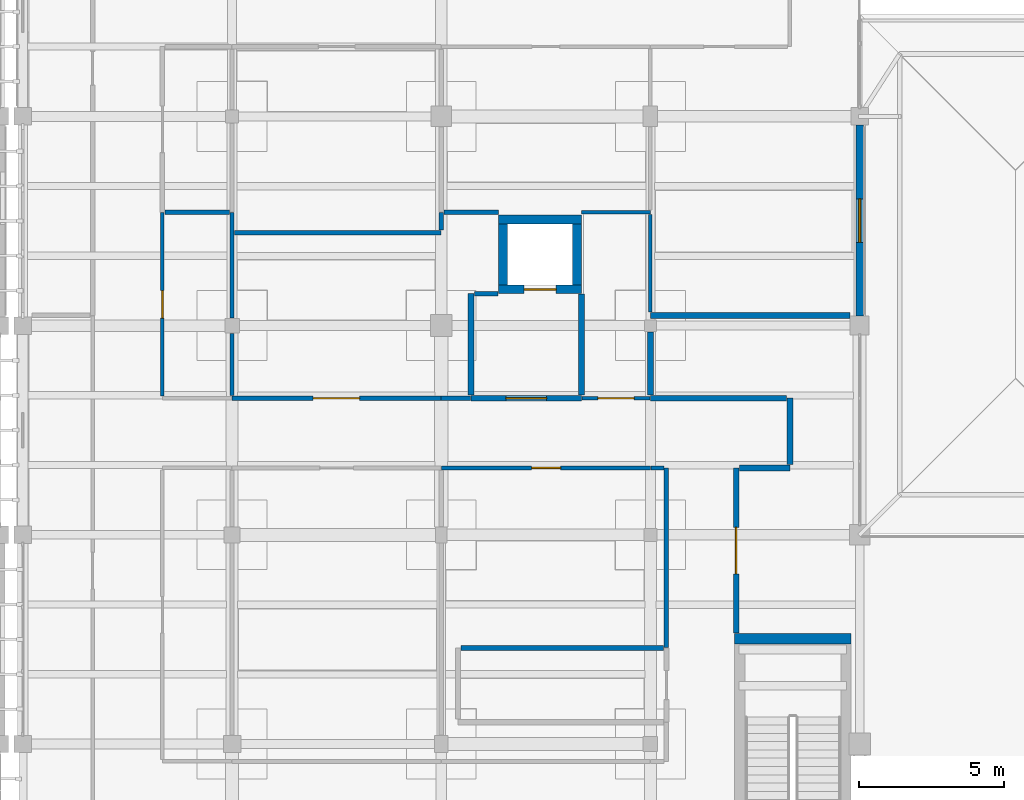
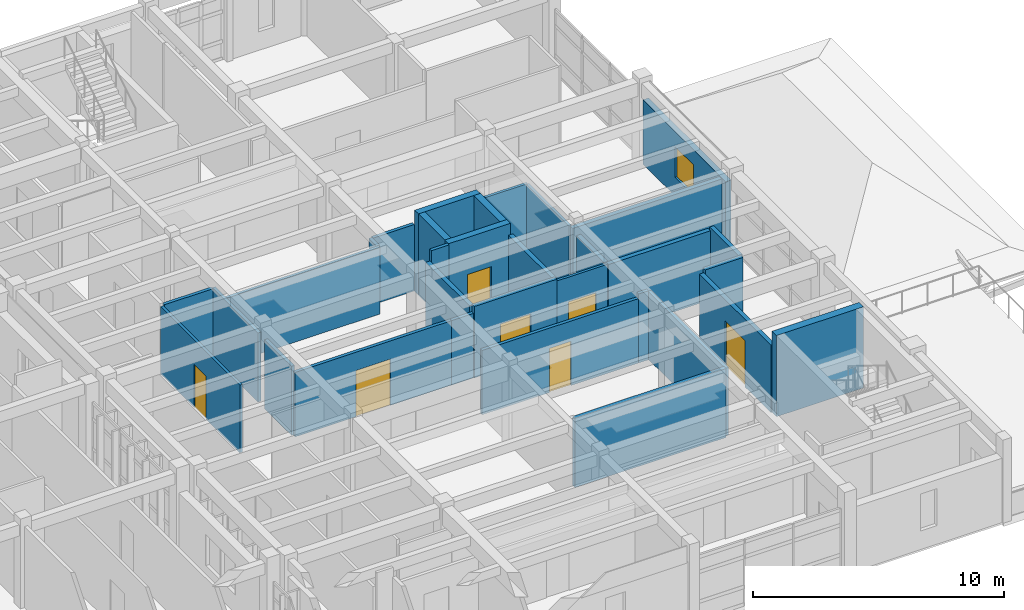
# One storey, part 37 of 55: 32 walls, 7 doors, 1 window, 8 openings.
"""IFC4 building model written with IfcOpenShell, lengths in metres."""

from ifc_helpers import new_model, si_unit, direction, frame, frame_2d, origin, place, context, subcontext, project, spatial, rectangle, extrude, material, layer, layer_set, type_object, element, fill, save


model = new_model("IFC4")

# Units and contexts
model_context = context("Model", 3, precision=1e-05, world=origin(), true_north=direction((0.0, 1.0)))
body_context = subcontext(model_context, "Body", "Model", "MODEL_VIEW")
ifc_project = project(units=[si_unit("LENGTHUNIT", "METRE"), si_unit("AREAUNIT", "SQUARE_METRE"), si_unit("VOLUMEUNIT", "CUBIC_METRE"), si_unit("PLANEANGLEUNIT", "RADIAN"), si_unit("MASSUNIT", "GRAM", prefix="KILO")], contexts=[model_context])

# Site, building, storey
site_placement = place(None, origin())
site = spatial("IfcSite", under=ifc_project, at=site_placement, CompositionType="ELEMENT")
building_placement = place(site_placement, origin())
building = spatial("IfcBuilding", under=site, at=building_placement, Name="Steenspoor Specialist Clinic", CompositionType="ELEMENT")
storey_placement = place(building_placement, frame((0.0, 0.0, 13.199951171875)))
storey = spatial("IfcBuildingStorey", under=building, at=storey_placement, Name="L03", CompositionType="ELEMENT", Elevation=13.199951171875)

# Wall
ifc_material_1 = material(Name="Gypsum acoustic clinical partition", Category="gypsum")
ifc_layer_1 = layer(ifc_material_1, 0.14990234375)
ifc_layer_set_1 = layer_set([ifc_layer_1], Name="Gypsum acoustic clinical partition")
wall_type_1 = type_object("IfcWallType", Name="W-CLIN-150", PredefinedType="PARTITIONING", material=ifc_layer_set_1)
wall_1_placement = place(storey_placement, frame((140.14990234375, 75.6650390625, 0.0), z_axis=(0.0, 0.0, 1.0), x_axis=(0.0, 1.0, 0.0)))
element("IfcWall", 1, at=wall_1_placement, inside=storey, type_object=wall_type_1, Name="Interior Partition IW-V6-L03-1616", PredefinedType="PARTITIONING", context=body_context, shape_type="SweptSolid", body=[
    extrude(rectangle(XDim=6.18505859375, YDim=0.14990234375, at=frame_2d((3.092529296875, 0.0))), origin(), (0.0, 0.0, 1.0), 3.28515625),
])

# Wall, opening, door
wall_2_placement = place(storey_placement, frame((132.4150390625, 81.85009765625, 0.0), z_axis=(0.0, 0.0, 1.0), x_axis=(1.0, 0.0, 0.0)))
wall_2 = element("IfcWall", 2, at=wall_2_placement, inside=storey, type_object=wall_type_1, Name="Interior Partition IW-V6-L03-1620", PredefinedType="PARTITIONING", context=body_context, shape_type="SweptSolid", body=[
    extrude(rectangle(XDim=7.18505859375, YDim=0.14990234375, at=frame_2d((3.592529296875, 0.0))), origin(), (0.0, 0.0, 1.0), 3.135009765625),
])
opening_1_placement = place(wall_2_placement, frame((3.092529296875, 0.0, 0.0)))
opening_1 = element("IfcOpeningElement", 3, at=opening_1_placement, cuts=wall_2, Name="Opening D0491", PredefinedType="OPENING", context=body_context, shape_type="SweptSolid", body=[
    extrude(rectangle(XDim=1.0, YDim=2.14990234375, at=frame_2d((0.5, 1.074951171875))), frame((0.0, 0.0849609375, 0.0), z_axis=(0.0, -1.0, 0.0), x_axis=(1.0, 0.0, 0.0)), (0.0, 0.0, 1.0), 0.169921875),
])
ifc_material_2 = material(Name="Moisture-resistant HPL accessible WC door", Category="wood")
door_type_1 = type_object("IfcDoorType", Name="DT-AWC-100X215", OperationType="NOTDEFINED", PredefinedType="DOOR", material=ifc_material_2)
door_1_placement = place(opening_1_placement, origin())
door_1 = element("IfcDoor", 4, at=door_1_placement, inside=storey, type_object=door_type_1, Name="Clinical Door D0491", OperationType="SINGLE_SWING_RIGHT", OverallHeight=2.14990234375, OverallWidth=1.0, PredefinedType="DOOR", context=body_context, shape_type="SweptSolid", body=[
    extrude(rectangle(XDim=1.0, YDim=2.14990234375, at=frame_2d((0.5, 1.074951171875))), frame((0.0, 0.02490234375, 0.0), z_axis=(0.0, -1.0, 0.0), x_axis=(1.0, 0.0, 0.0)), (0.0, 0.0, 1.0), 0.050048828125),
])
fill(opening_1, door_1)

# Walls
wall_3_placement = place(storey_placement, frame((139.614990234375, 81.85009765625, 0.0), z_axis=(0.0, 0.0, 1.0), x_axis=(1.0, 0.0, 0.0)))
element("IfcWall", 5, at=wall_3_placement, inside=storey, type_object=wall_type_1, Name="Interior Partition IW-V6-L03-1621", PredefinedType="PARTITIONING", context=body_context, shape_type="SweptSolid", body=[
    extrude(rectangle(XDim=0.445068359375, YDim=0.14990234375, at=frame_2d((0.22265625, 0.0))), origin(), (0.0, 0.0, 1.0), 3.35498046875),
])
wall_4_placement = place(storey_placement, frame((132.39990234375, 84.25, 0.0), z_axis=(0.0, 0.0, 1.0), x_axis=(1.0, 0.0, 0.0)))
element("IfcWall", 6, at=wall_4_placement, inside=storey, type_object=wall_type_1, Name="Interior Partition IW-V6-L03-1622", PredefinedType="PARTITIONING", context=body_context, shape_type="SweptSolid", body=[
    extrude(rectangle(XDim=1.010009765625, YDim=0.14990234375, at=frame_2d((0.5048828125, 0.0))), origin(), (0.0, 0.0, 1.0), 3.135009765625),
])

# Wall, opening, door
wall_5_placement = place(storey_placement, frame((125.199951171875, 84.25, 0.0), z_axis=(0.0, 0.0, 1.0), x_axis=(1.0, 0.0, 0.0)))
wall_5 = element("IfcWall", 7, at=wall_5_placement, inside=storey, type_object=wall_type_1, Name="Interior Partition IW-V6-L03-1623", PredefinedType="PARTITIONING", context=body_context, shape_type="SweptSolid", body=[
    extrude(rectangle(XDim=7.18505859375, YDim=0.14990234375, at=frame_2d((3.592529296875, 0.0))), origin(), (0.0, 0.0, 1.0), 3.135009765625),
])
opening_2_placement = place(wall_5_placement, frame((2.79248046875, 0.0, 0.0)))
opening_2 = element("IfcOpeningElement", 8, at=opening_2_placement, cuts=wall_5, Name="Opening D0493", PredefinedType="OPENING", context=body_context, shape_type="SweptSolid", body=[
    extrude(rectangle(XDim=1.60009765625, YDim=2.25, at=frame_2d((0.800048828125, 1.125))), frame((0.0, 0.0849609375, 0.0), z_axis=(0.0, -1.0, 0.0), x_axis=(1.0, 0.0, 0.0)), (0.0, 0.0, 1.0), 0.169921875),
])
ifc_material_3 = material(Name="Hygienic HPL clinical timber door", Category="wood")
door_type_2 = type_object("IfcDoorType", Name="DT-PROC-160X225", OperationType="NOTDEFINED", PredefinedType="DOOR", material=ifc_material_3)
door_2_placement = place(opening_2_placement, origin())
door_2 = element("IfcDoor", 9, at=door_2_placement, inside=storey, type_object=door_type_2, Name="Clinical Door D0493", OperationType="SINGLE_SWING_RIGHT", OverallHeight=2.25, OverallWidth=1.60009765625, PredefinedType="DOOR", context=body_context, shape_type="SweptSolid", body=[
    extrude(rectangle(XDim=1.60009765625, YDim=2.25, at=frame_2d((0.800048828125, 1.125))), frame((0.0, 0.02490234375, 0.0), z_axis=(0.0, -1.0, 0.0), x_axis=(1.0, 0.0, 0.0)), (0.0, 0.0, 1.0), 0.050048828125),
])
fill(opening_2, door_2)

# Walls
wall_6_placement = place(storey_placement, frame((125.199951171875, 84.340087890625, 0.0), z_axis=(0.0, 0.0, 1.0), x_axis=(0.0, 1.0, 0.0)))
element("IfcWall", 10, at=wall_6_placement, inside=storey, type_object=wall_type_1, Name="Interior Partition IW-V6-L03-1763", PredefinedType="PARTITIONING", context=body_context, shape_type="SweptSolid", body=[
    extrude(rectangle(XDim=2.14501953125, YDim=0.14990234375, at=frame_2d((1.072509765625, 0.0))), origin(), (0.0, 0.0, 1.0), 3.35498046875),
])
wall_7_placement = place(storey_placement, frame((125.199951171875, 87.014892578125, 0.0), z_axis=(0.0, 0.0, 1.0), x_axis=(0.0, 1.0, 0.0)))
element("IfcWall", 11, at=wall_7_placement, inside=storey, type_object=wall_type_1, Name="Interior Partition IW-V6-L03-1764", PredefinedType="PARTITIONING", context=body_context, shape_type="SweptSolid", body=[
    extrude(rectangle(XDim=3.635009765625, YDim=0.14990234375, at=frame_2d((1.8173828125, 0.0))), origin(), (0.0, 0.0, 1.0), 3.35498046875),
])
wall_8_placement = place(storey_placement, frame((122.889892578125, 90.64990234375, 0.0), z_axis=(0.0, 0.0, 1.0), x_axis=(1.0, 0.0, 0.0)))
element("IfcWall", 12, at=wall_8_placement, inside=storey, type_object=wall_type_1, Name="Interior Partition IW-V6-L03-1765", PredefinedType="PARTITIONING", context=body_context, shape_type="SweptSolid", body=[
    extrude(rectangle(XDim=2.22021484375, YDim=0.14990234375, at=frame_2d((1.110107421875, 0.0))), origin(), (0.0, 0.0, 1.0), 3.35498046875),
])
wall_9_placement = place(storey_placement, frame((125.2900390625, 89.949951171875, 0.0), z_axis=(0.0, 0.0, 1.0), x_axis=(1.0, 0.0, 0.0)))
element("IfcWall", 13, at=wall_9_placement, inside=storey, type_object=wall_type_1, Name="Interior Partition IW-V6-L03-1766", PredefinedType="PARTITIONING", context=body_context, shape_type="SweptSolid", body=[
    extrude(rectangle(XDim=7.10986328125, YDim=0.14990234375, at=frame_2d((3.554931640625, 0.0))), origin(), (0.0, 0.0, 1.0), 3.235107421875),
])
wall_10_placement = place(storey_placement, frame((132.39990234375, 90.0400390625, 0.0), z_axis=(0.0, 0.0, 1.0), x_axis=(0.0, 1.0, 0.0)))
element("IfcWall", 14, at=wall_10_placement, inside=storey, type_object=wall_type_1, Name="Interior Partition IW-V6-L03-1767", PredefinedType="PARTITIONING", context=body_context, shape_type="SweptSolid", body=[
    extrude(rectangle(XDim=0.60986328125, YDim=0.14990234375, at=frame_2d((0.304931640625, 0.0))), origin(), (0.0, 0.0, 1.0), 3.235107421875),
])
wall_11_placement = place(storey_placement, frame((132.489990234375, 90.64990234375, 0.0), z_axis=(0.0, 0.0, 1.0), x_axis=(1.0, 0.0, 0.0)))
element("IfcWall", 15, at=wall_11_placement, inside=storey, type_object=wall_type_1, Name="Interior Partition IW-V6-L03-1768", PredefinedType="PARTITIONING", context=body_context, shape_type="SweptSolid", body=[
    extrude(rectangle(XDim=1.885009765625, YDim=0.14990234375, at=frame_2d((0.9423828125, 0.0))), origin(), (0.0, 0.0, 1.0), 3.235107421875),
])
wall_12_placement = place(storey_placement, frame((133.5400390625, 87.85009765625, 0.0), z_axis=(0.0, 0.0, 1.0), x_axis=(1.0, 0.0, 0.0)))
element("IfcWall", 16, at=wall_12_placement, inside=storey, type_object=wall_type_1, Name="Interior Partition IW-V6-L03-1769", PredefinedType="PARTITIONING", context=body_context, shape_type="SweptSolid", body=[
    extrude(rectangle(XDim=0.820068359375, YDim=0.14990234375, at=frame_2d((0.41015625, 0.0))), origin(), (0.0, 0.0, 1.0), 3.949951171875),
])

# Wall, opening, door
ifc_material_4 = material(Name="Gypsum studio partition board", Category="gypsum")
ifc_layer_2 = layer(ifc_material_4, 0.1201171875)
ifc_layer_set_2 = layer_set([ifc_layer_2], Name="Gypsum studio partition board")
wall_type_2 = type_object("IfcWallType", Name="W-PART-120", PredefinedType="PARTITIONING", material=ifc_layer_set_2)
wall_13_placement = place(storey_placement, frame((122.800048828125, 84.324951171875, 0.0), z_axis=(0.0, 0.0, 1.0), x_axis=(0.0, 1.0, 0.0)))
wall_13 = element("IfcWall", 17, at=wall_13_placement, inside=storey, type_object=wall_type_2, Name="Interior Partition IW-V6-L03-1688", PredefinedType="PARTITIONING", context=body_context, shape_type="SweptSolid", body=[
    extrude(rectangle(XDim=6.31005859375, YDim=0.1201171875, at=frame_2d((3.155029296875, 0.0))), origin(), (0.0, 0.0, 1.0), 3.28515625),
])
opening_3_placement = place(wall_13_placement, frame((2.679931640625, 0.0, 0.0)))
opening_3 = element("IfcOpeningElement", 18, at=opening_3_placement, cuts=wall_13, Name="Opening D0492", PredefinedType="OPENING", context=body_context, shape_type="SweptSolid", body=[
    extrude(rectangle(XDim=0.949951171875, YDim=2.10009765625, at=frame_2d((0.47509765625, 1.050048828125))), frame((0.0, 0.070068359375, 0.0), z_axis=(0.0, -1.0, 0.0), x_axis=(1.0, 0.0, 0.0)), (0.0, 0.0, 1.0), 0.14013671875),
])
ifc_material_5 = material(Name="Moisture-resistant HPL sanitary door", Category="wood")
door_type_3 = type_object("IfcDoorType", Name="DT-WC-095X210", OperationType="NOTDEFINED", PredefinedType="DOOR", material=ifc_material_5)
door_3_placement = place(opening_3_placement, origin())
door_3 = element("IfcDoor", 19, at=door_3_placement, inside=storey, type_object=door_type_3, Name="Clinical Door D0492", OperationType="SINGLE_SWING_LEFT", OverallHeight=2.10009765625, OverallWidth=0.949951171875, PredefinedType="DOOR", context=body_context, shape_type="SweptSolid", body=[
    extrude(rectangle(XDim=0.949951171875, YDim=2.10009765625, at=frame_2d((0.47509765625, 1.050048828125))), frame((0.0, 0.02490234375, 0.0), z_axis=(0.0, -1.0, 0.0), x_axis=(1.0, 0.0, 0.0)), (0.0, 0.0, 1.0), 0.050048828125),
])
fill(opening_3, door_3)

wall_14_placement = place(storey_placement, frame((137.239990234375, 84.25, 0.0), z_axis=(0.0, 0.0, 1.0), x_axis=(1.0, 0.0, 0.0)))
wall_14 = element("IfcWall", 20, at=wall_14_placement, inside=storey, type_object=wall_type_2, Name="Interior Partition IW-V6-L03-1689", PredefinedType="PARTITIONING", context=body_context, shape_type="SweptSolid", body=[
    extrude(rectangle(XDim=2.344970703125, YDim=0.1201171875, at=frame_2d((1.17236328125, 0.0))), origin(), (0.0, 0.0, 1.0), 3.35498046875),
])
opening_4_placement = place(wall_14_placement, frame((0.547607421875, 0.0, 0.0)))
opening_4 = element("IfcOpeningElement", 21, at=opening_4_placement, cuts=wall_14, Name="Opening D0494", PredefinedType="OPENING", context=body_context, shape_type="SweptSolid", body=[
    extrude(rectangle(XDim=1.25, YDim=2.14990234375, at=frame_2d((0.625, 1.074951171875))), frame((0.0, 0.070068359375, 0.0), z_axis=(0.0, -1.0, 0.0), x_axis=(1.0, 0.0, 0.0)), (0.0, 0.0, 1.0), 0.14013671875),
])
door_type_4 = type_object("IfcDoorType", Name="DT-EXAM-125X215", OperationType="NOTDEFINED", PredefinedType="DOOR", material=ifc_material_3)
door_4_placement = place(opening_4_placement, origin())
door_4 = element("IfcDoor", 22, at=door_4_placement, inside=storey, type_object=door_type_4, Name="Clinical Door D0494", OperationType="SINGLE_SWING_LEFT", OverallHeight=2.14990234375, OverallWidth=1.25, PredefinedType="DOOR", context=body_context, shape_type="SweptSolid", body=[
    extrude(rectangle(XDim=1.25, YDim=2.14990234375, at=frame_2d((0.625, 1.074951171875))), frame((0.0, 0.02490234375, 0.0), z_axis=(0.0, -1.0, 0.0), x_axis=(1.0, 0.0, 0.0)), (0.0, 0.0, 1.0), 0.050048828125),
])
fill(opening_4, door_4)

# Walls
wall_15_placement = place(storey_placement, frame((137.22509765625, 90.64990234375, 0.0), z_axis=(0.0, 0.0, 1.0), x_axis=(1.0, 0.0, 0.0)))
element("IfcWall", 23, at=wall_15_placement, inside=storey, type_object=wall_type_2, Name="Interior Partition IW-V6-L03-1782", PredefinedType="PARTITIONING", context=body_context, shape_type="SweptSolid", body=[
    extrude(rectangle(XDim=2.375, YDim=0.1201171875, at=frame_2d((1.1875, 0.0))), origin(), (0.0, 0.0, 1.0), 3.385009765625),
])
wall_16_placement = place(storey_placement, frame((139.60009765625, 87.215087890625, 0.0), z_axis=(0.0, 0.0, 1.0), x_axis=(0.0, 1.0, 0.0)))
element("IfcWall", 24, at=wall_16_placement, inside=storey, type_object=wall_type_2, Name="Interior Partition IW-V6-L03-1783", PredefinedType="PARTITIONING", context=body_context, shape_type="SweptSolid", body=[
    extrude(rectangle(XDim=3.35986328125, YDim=0.1201171875, at=frame_2d((1.679931640625, 0.0))), origin(), (0.0, 0.0, 1.0), 3.385009765625),
])
ifc_material_6 = material(Name="Moisture-resistant gypsum plumbing wall", Category="gypsum")
ifc_layer_3 = layer(ifc_material_6, 0.179931640625)
ifc_layer_set_3 = layer_set([ifc_layer_3], Name="Moisture-resistant gypsum plumbing wall")
wall_type_3 = type_object("IfcWallType", Name="W-PLUMB-180", PredefinedType="PLUMBINGWALL", material=ifc_layer_set_3)
wall_17_placement = place(storey_placement, frame((133.0849609375, 75.64990234375, 0.0), z_axis=(0.0, 0.0, 1.0), x_axis=(1.0, 0.0, 0.0)))
element("IfcWall", 25, at=wall_17_placement, inside=storey, type_object=wall_type_3, Name="Interior Partition IW-V6-L03-1540", PredefinedType="PLUMBINGWALL", context=body_context, shape_type="SweptSolid", body=[
    extrude(rectangle(XDim=6.9599609375, YDim=0.179931640625, at=frame_2d((3.47998046875, 0.0))), origin(), (0.0, 0.0, 1.0), 3.35498046875),
])

# Wall, opening, window
ifc_material_7 = material(Name="Extruded clay brick masonry", Category="masonry")
ifc_layer_4 = layer(ifc_material_7, 0.260009765625)
ifc_layer_set_4 = layer_set([ifc_layer_4], Name="Extruded clay brick masonry")
wall_type_4 = type_object("IfcWallType", Name="W-SCREEN-260", PredefinedType="SOLIDWALL", material=ifc_layer_set_4)
wall_18_placement = place(storey_placement, frame((146.800048828125, 93.64990234375, 0.0), z_axis=(0.0, 0.0, 1.0), x_axis=(0.0, -1.0, 0.0)))
wall_18 = element("IfcWall", 26, at=wall_18_placement, inside=storey, type_object=wall_type_4, Name="Exterior Brick Wall EW-V6-L03-0348", PredefinedType="SOLIDWALL", context=body_context, shape_type="SweptSolid", body=[
    extrude(rectangle(XDim=6.574951171875, YDim=0.260009765625, at=frame_2d((3.28759765625, 0.0))), origin(), (0.0, 0.0, 1.0), 3.130126953125),
])
opening_5_placement = place(wall_18_placement, frame((2.53759765625, 0.0, 0.89990234375)))
opening_5 = element("IfcOpeningElement", 27, at=opening_5_placement, cuts=wall_18, Name="Opening WN-12", PredefinedType="OPENING", context=body_context, shape_type="SweptSolid", body=[
    extrude(rectangle(XDim=1.5, YDim=1.5, at=frame_2d((0.75, 0.75))), frame((0.0, 0.14013671875, 0.0), z_axis=(0.0, -1.0, 0.0), x_axis=(1.0, 0.0, 0.0)), (0.0, 0.0, 1.0), 0.280029296875),
])
ifc_material_8 = material(Name="Thermally broken aluminium and low-emissivity glass", Category="aluminium")
window_type = type_object("IfcWindowType", Name="WN-EXT-150X150", PartitioningType="SINGLE_PANEL", PredefinedType="WINDOW", material=ifc_material_8)
window_placement = place(opening_5_placement, origin())
window = element("IfcWindow", 28, at=window_placement, inside=storey, type_object=window_type, Name="Window 0369", OverallHeight=1.5, OverallWidth=1.5, PartitioningType="SINGLE_PANEL", PredefinedType="WINDOW", context=body_context, shape_type="SweptSolid", body=[
    extrude(rectangle(XDim=1.5, YDim=1.5, at=frame_2d((0.75, 0.75))), frame((0.0, 0.030029296875, 0.0), z_axis=(0.0, -1.0, 0.0), x_axis=(1.0, 0.0, 0.0)), (0.0, 0.0, 1.0), 0.06005859375),
])
fill(opening_5, window)

# Wall, opening, door
ifc_material_9 = material(Name="Gypsum acoustic smoke barrier board", Category="gypsum")
ifc_layer_5 = layer(ifc_material_9, 0.199951171875)
ifc_layer_set_5 = layer_set([ifc_layer_5], Name="Gypsum acoustic smoke barrier board")
wall_type_5 = type_object("IfcWallType", Name="W-SMOKE-200", PredefinedType="PARTITIONING", material=ifc_layer_set_5)
wall_19_placement = place(storey_placement, frame((133.425048828125, 84.25, 0.0), z_axis=(0.0, 0.0, 1.0), x_axis=(1.0, 0.0, 0.0)))
wall_19 = element("IfcWall", 29, at=wall_19_placement, inside=storey, type_object=wall_type_5, Name="Interior Partition IW-V6-L03-1520", PredefinedType="PARTITIONING", context=body_context, shape_type="SweptSolid", body=[
    extrude(rectangle(XDim=3.800048828125, YDim=0.199951171875, at=frame_2d((1.89990234375, 0.0))), origin(), (0.0, 0.0, 1.0), 3.47509765625),
])
opening_6_placement = place(wall_19_placement, frame((1.199951171875, 0.0, 0.0)))
opening_6 = element("IfcOpeningElement", 30, at=opening_6_placement, cuts=wall_19, Name="Opening D0481", PredefinedType="OPENING", context=body_context, shape_type="SweptSolid", body=[
    extrude(rectangle(XDim=1.39990234375, YDim=2.199951171875, at=frame_2d((0.699951171875, 1.10009765625))), frame((0.0, 0.10986328125, 0.0), z_axis=(0.0, -1.0, 0.0), x_axis=(1.0, 0.0, 0.0)), (0.0, 0.0, 1.0), 0.219970703125),
])
ifc_material_10 = material(Name="Fire-rated clinical laminate door", Category="steel")
door_type_5 = type_object("IfcDoorType", Name="DT-LAB-140X220", OperationType="NOTDEFINED", PredefinedType="DOOR", material=ifc_material_10)
door_5_placement = place(opening_6_placement, origin())
door_5 = element("IfcDoor", 31, at=door_5_placement, inside=storey, type_object=door_type_5, Name="Lift Lobby Fire Door D0481", OperationType="SINGLE_SWING_RIGHT", OverallHeight=2.199951171875, OverallWidth=1.39990234375, PredefinedType="DOOR", context=body_context, shape_type="SweptSolid", body=[
    extrude(rectangle(XDim=1.39990234375, YDim=2.199951171875, at=frame_2d((0.699951171875, 1.10009765625))), frame((0.0, 0.02490234375, 0.0), z_axis=(0.0, -1.0, 0.0), x_axis=(1.0, 0.0, 0.0)), (0.0, 0.0, 1.0), 0.050048828125),
])
fill(opening_6, door_5)

# Walls
wall_20_placement = place(storey_placement, frame((137.22509765625, 84.364990234375, 0.0), z_axis=(0.0, 0.0, 1.0), x_axis=(0.0, 1.0, 0.0)))
element("IfcWall", 32, at=wall_20_placement, inside=storey, type_object=wall_type_5, Name="Interior Partition IW-V6-L03-1533", PredefinedType="PARTITIONING", context=body_context, shape_type="SweptSolid", body=[
    extrude(rectangle(XDim=3.469970703125, YDim=0.199951171875, at=frame_2d((1.73486328125, 0.0))), origin(), (0.0, 0.0, 1.0), 3.4150390625),
])
wall_21_placement = place(storey_placement, frame((133.425048828125, 84.364990234375, 0.0), z_axis=(0.0, 0.0, 1.0), x_axis=(0.0, 1.0, 0.0)))
element("IfcWall", 33, at=wall_21_placement, inside=storey, type_object=wall_type_5, Name="Interior Partition IW-V6-L03-1534", PredefinedType="PARTITIONING", context=body_context, shape_type="SweptSolid", body=[
    extrude(rectangle(XDim=3.485107421875, YDim=0.199951171875, at=frame_2d((1.74267578125, 0.0))), origin(), (0.0, 0.0, 1.0), 3.4150390625),
])

# Wall, opening, door
wall_22_placement = place(storey_placement, frame((142.550048828125, 76.1650390625, 0.0), z_axis=(0.0, 0.0, 1.0), x_axis=(0.0, 1.0, 0.0)))
wall_22 = element("IfcWall", 34, at=wall_22_placement, inside=storey, type_object=wall_type_5, Name="Interior Partition IW-V6-L03-1558", PredefinedType="PARTITIONING", context=body_context, shape_type="SweptSolid", body=[
    extrude(rectangle(XDim=5.68505859375, YDim=0.199951171875, at=frame_2d((2.842529296875, 0.0))), origin(), (0.0, 0.0, 1.0), 3.28515625),
])
opening_7_placement = place(wall_22_placement, frame((2.04248046875, 0.0, 0.0)))
opening_7 = element("IfcOpeningElement", 35, at=opening_7_placement, cuts=wall_22, Name="Opening D0487", PredefinedType="OPENING", context=body_context, shape_type="SweptSolid", body=[
    extrude(rectangle(XDim=1.60009765625, YDim=2.25, at=frame_2d((0.800048828125, 1.125))), frame((0.0, 0.10986328125, 0.0), z_axis=(0.0, -1.0, 0.0), x_axis=(1.0, 0.0, 0.0)), (0.0, 0.0, 1.0), 0.219970703125),
])
door_6_placement = place(opening_7_placement, origin())
door_6 = element("IfcDoor", 36, at=door_6_placement, inside=storey, type_object=door_type_2, Name="Clinical Door D0487", OperationType="SINGLE_SWING_RIGHT", OverallHeight=2.25, OverallWidth=1.60009765625, PredefinedType="DOOR", context=body_context, shape_type="SweptSolid", body=[
    extrude(rectangle(XDim=1.60009765625, YDim=2.25, at=frame_2d((0.800048828125, 1.125))), frame((0.0, 0.02490234375, 0.0), z_axis=(0.0, -1.0, 0.0), x_axis=(1.0, 0.0, 0.0)), (0.0, 0.0, 1.0), 0.050048828125),
])
fill(opening_7, door_6)

# Walls
wall_23_placement = place(storey_placement, frame((142.6650390625, 81.85009765625, 0.0), z_axis=(0.0, 0.0, 1.0), x_axis=(1.0, 0.0, 0.0)))
element("IfcWall", 37, at=wall_23_placement, inside=storey, type_object=wall_type_5, Name="Interior Partition IW-V6-L03-1559", PredefinedType="PARTITIONING", context=body_context, shape_type="SweptSolid", body=[
    extrude(rectangle(XDim=1.73486328125, YDim=0.199951171875, at=frame_2d((0.867431640625, 0.0))), origin(), (0.0, 0.0, 1.0), 3.47509765625),
])
wall_24_placement = place(storey_placement, frame((144.39990234375, 81.965087890625, 0.0), z_axis=(0.0, 0.0, 1.0), x_axis=(0.0, 1.0, 0.0)))
element("IfcWall", 38, at=wall_24_placement, inside=storey, type_object=wall_type_5, Name="Interior Partition IW-V6-L03-1560", PredefinedType="PARTITIONING", context=body_context, shape_type="SweptSolid", body=[
    extrude(rectangle(XDim=2.284912109375, YDim=0.199951171875, at=frame_2d((1.142578125, 0.0))), origin(), (0.0, 0.0, 1.0), 3.47509765625),
])
wall_25_placement = place(storey_placement, frame((139.60009765625, 84.25, 0.0), z_axis=(0.0, 0.0, 1.0), x_axis=(1.0, 0.0, 0.0)))
element("IfcWall", 39, at=wall_25_placement, inside=storey, type_object=wall_type_5, Name="Interior Partition IW-V6-L03-1561", PredefinedType="PARTITIONING", context=body_context, shape_type="SweptSolid", body=[
    extrude(rectangle(XDim=4.684814453125, YDim=0.199951171875, at=frame_2d((2.34228515625, 0.0))), origin(), (0.0, 0.0, 1.0), 3.35498046875),
])
wall_26_placement = place(storey_placement, frame((139.60009765625, 84.364990234375, 0.0), z_axis=(0.0, 0.0, 1.0), x_axis=(0.0, 1.0, 0.0)))
element("IfcWall", 40, at=wall_26_placement, inside=storey, type_object=wall_type_5, Name="Interior Partition IW-V6-L03-1718", PredefinedType="PARTITIONING", context=body_context, shape_type="SweptSolid", body=[
    extrude(rectangle(XDim=2.169921875, YDim=0.199951171875, at=frame_2d((1.0849609375, 0.0))), origin(), (0.0, 0.0, 1.0), 3.35498046875),
])
wall_27_placement = place(storey_placement, frame((139.60009765625, 87.10009765625, 0.0), z_axis=(0.0, 0.0, 1.0), x_axis=(1.0, 0.0, 0.0)))
element("IfcWall", 41, at=wall_27_placement, inside=storey, type_object=wall_type_5, Name="Interior Partition IW-V6-L03-1719", PredefinedType="PARTITIONING", context=body_context, shape_type="SweptSolid", body=[
    extrude(rectangle(XDim=6.85986328125, YDim=0.199951171875, at=frame_2d((3.429931640625, 0.0))), origin(), (0.0, 0.0, 1.0), 3.385009765625),
])

# Wall, opening, door
ifc_material_11 = material(Name="Concrete C40/50", Category="concrete")
ifc_layer_6 = layer(ifc_material_11, 0.300048828125)
ifc_layer_set_6 = layer_set([ifc_layer_6], Name="Concrete C40/50")
wall_type_6 = type_object("IfcWallType", Name="W-SW-300", PredefinedType="SHEAR", material=ifc_layer_set_6)
wall_28_placement = place(storey_placement, frame((134.375, 88.0, 0.0), z_axis=(0.0, 0.0, 1.0), x_axis=(1.0, 0.0, 0.0)))
wall_28 = element("IfcWall", 42, at=wall_28_placement, inside=storey, type_object=wall_type_6, Name="Lift Shaft Shear Wall SW-EL-P3-L03-S", PredefinedType="SHEAR", context=body_context, shape_type="SweptSolid", body=[
    extrude(rectangle(XDim=2.85009765625, YDim=0.300048828125, at=frame_2d((1.425048828125, 0.0))), origin(), (0.0, 0.0, 1.0), 3.949951171875),
])
opening_8_placement = place(wall_28_placement, frame((0.875, 0.0, 0.0)))
opening_8 = element("IfcOpeningElement", 43, at=opening_8_placement, cuts=wall_28, Name="Opening LD25", PredefinedType="OPENING", context=body_context, shape_type="SweptSolid", body=[
    extrude(rectangle(XDim=1.10009765625, YDim=2.14990234375, at=frame_2d((0.550048828125, 1.074951171875))), frame((0.0, 0.16015625, 0.0), z_axis=(0.0, -1.0, 0.0), x_axis=(1.0, 0.0, 0.0)), (0.0, 0.0, 1.0), 0.320068359375),
])
ifc_material_12 = material(Name="Stainless steel lift landing door", Category="steel")
door_type_6 = type_object("IfcDoorType", Name="DT-LIFT-P-110", OperationType="NOTDEFINED", PredefinedType="DOOR", material=ifc_material_12)
door_7_placement = place(opening_8_placement, origin())
door_7 = element("IfcDoor", 44, at=door_7_placement, inside=storey, type_object=door_type_6, Name="Lift Landing Door LD25", OperationType="SLIDING_TO_LEFT", OverallHeight=2.14990234375, OverallWidth=1.10009765625, PredefinedType="DOOR", context=body_context, shape_type="SweptSolid", body=[
    extrude(rectangle(XDim=1.10009765625, YDim=2.14990234375, at=frame_2d((0.550048828125, 1.074951171875))), frame((0.0, 0.02490234375, 0.0), z_axis=(0.0, -1.0, 0.0), x_axis=(1.0, 0.0, 0.0)), (0.0, 0.0, 1.0), 0.050048828125),
])
fill(opening_8, door_7)

# Walls
wall_29_placement = place(storey_placement, frame((134.375, 90.39990234375, 0.0), z_axis=(0.0, 0.0, 1.0), x_axis=(1.0, 0.0, 0.0)))
element("IfcWall", 45, at=wall_29_placement, inside=storey, type_object=wall_type_6, Name="Lift Shaft Shear Wall SW-EL-P3-L03-N", PredefinedType="SHEAR", context=body_context, shape_type="SweptSolid", body=[
    extrude(rectangle(XDim=2.85009765625, YDim=0.300048828125, at=frame_2d((1.425048828125, 0.0))), origin(), (0.0, 0.0, 1.0), 3.949951171875),
])
for number, where, z_axis, x_axis, name in (
    (46, (134.52490234375, 88.14990234375, 0.0), (0.0, 0.0, 1.0), (0.0, 1.0, 0.0), "Lift Shaft Shear Wall SW-EL-P3-L03-W"),
    (47, (137.074951171875, 88.14990234375, 0.0), (0.0, 0.0, 1.0), (0.0, 1.0, 0.0), "Lift Shaft Shear Wall SW-EL-P3-L03-E"),
):
    element("IfcWall", number, at=place(storey_placement, frame(where, z_axis=z_axis, x_axis=x_axis)), inside=storey, type_object=wall_type_6, Name=name, PredefinedType="SHEAR", context=body_context, shape_type="SweptSolid", body=[
        extrude(rectangle(XDim=2.10009765625, YDim=0.300048828125, at=frame_2d((1.050048828125, 0.0))), origin(), (0.0, 0.0, 1.0), 3.949951171875),
    ])
ifc_layer_7 = layer(ifc_material_11, 0.35009765625)
ifc_layer_set_7 = layer_set([ifc_layer_7], Name="Concrete C40/50")
wall_type_7 = type_object("IfcWallType", Name="W-SW-350", PredefinedType="SHEAR", material=ifc_layer_set_7)
wall_30_placement = place(storey_placement, frame((142.5, 75.97509765625, 0.0), z_axis=(0.0, 0.0, 1.0), x_axis=(1.0, 0.0, 0.0)))
element("IfcWall", 48, at=wall_30_placement, inside=storey, type_object=wall_type_7, Name="Core Shear Wall SW-ST-V6B-L03-N", PredefinedType="SHEAR", context=body_context, shape_type="SweptSolid", body=[
    extrude(rectangle(XDim=4.0, YDim=0.35009765625, at=frame_2d((2.0, 0.0))), origin(), (0.0, 0.0, 1.0), 3.949951171875),
])

save(model, "model.ifc")
